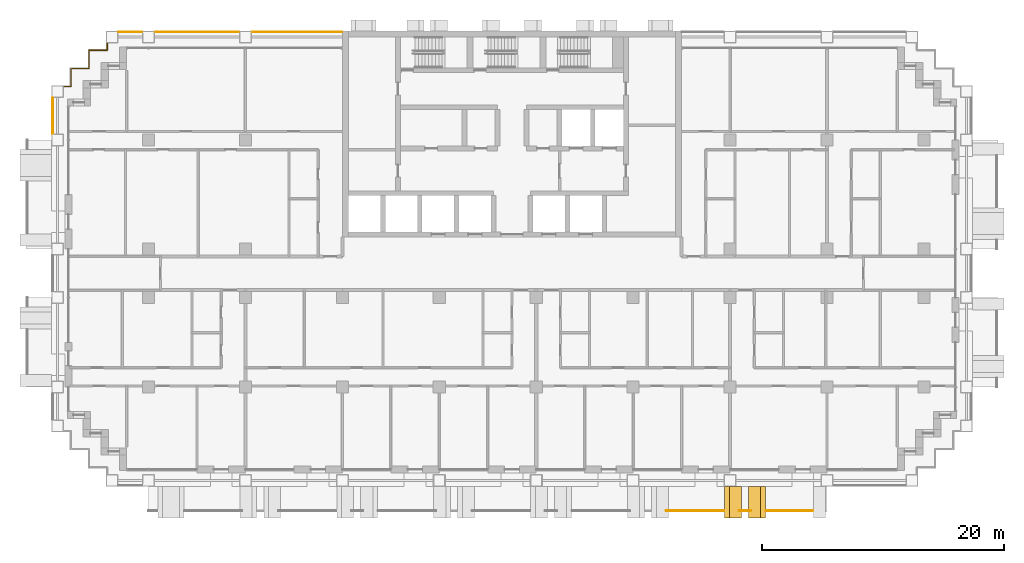
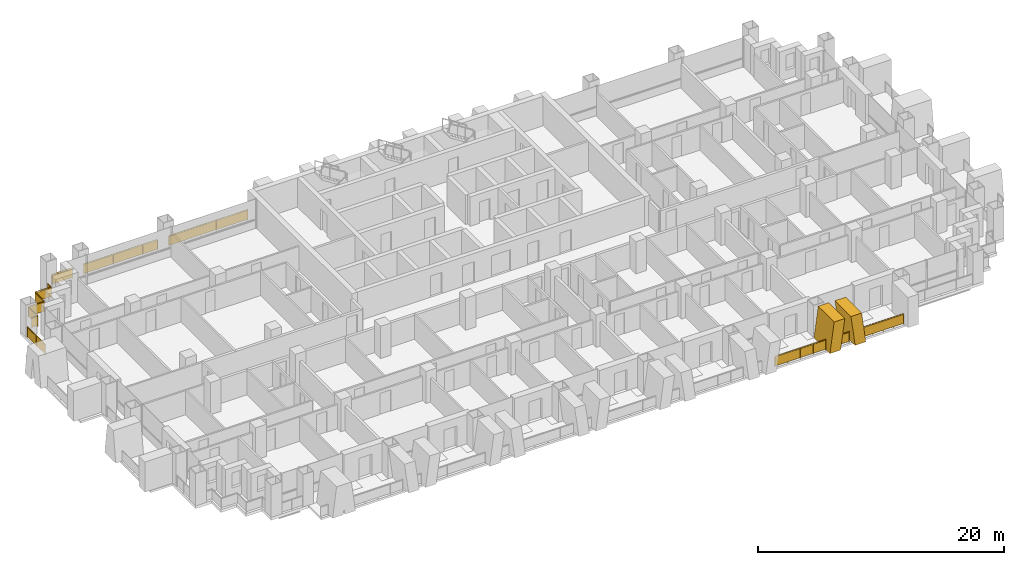
# One storey, part 16 of 18: 8 railings, 2 shading devices.
"""IFC4 building model written with IfcOpenShell, lengths in metres."""

import ifcopenshell
import ifcopenshell.guid

model = None  # the IFC model being written
_history = None  # IfcOwnerHistory: only IFC2X3 demands one
_inside = {}  # id of a spatial element -> (the spatial element, [elements in it])
_under = {}  # id of a project, library or spatial element -> (it, [spatial elements below it])
_declared = {}  # id of a project -> (the project, [libraries it declares])
_typed = {}  # id of a type object -> (the type object, [elements of that type])
_made_of = {}  # id of a material, layer set ... -> (it, [elements and type objects made of it])


def new_model(schema):
    """Start an empty IFC model of exactly this schema.

    Asked for "IFC4X3", IfcOpenShell would pick the latest addendum, in which some entities
    have other attributes; the version numbers below select the first issue.
    IFC2X3 requires an IfcOwnerHistory on every rooted entity: one is made here for all.
    """
    global model, _history
    if schema == "IFC4X3":
        model = ifcopenshell.file(schema_version=(4, 3, 0, 0))
    else:
        model = ifcopenshell.file(schema=schema)
    _inside.clear()
    _under.clear()
    _declared.clear()
    _typed.clear()
    _made_of.clear()
    _history = None
    if model.schema == "IFC2X3":
        org = make("IfcOrganization", Name="unknown")
        user = make(
            "IfcPersonAndOrganization",
            ThePerson=make("IfcPerson", FamilyName="unknown"),
            TheOrganization=org,
        )
        app = make(
            "IfcApplication",
            ApplicationDeveloper=org,
            Version="unknown",
            ApplicationFullName="unknown",
            ApplicationIdentifier="unknown",
        )
        _history = make(
            "IfcOwnerHistory",
            OwningUser=user,
            OwningApplication=app,
            ChangeAction="ADDED",
            CreationDate=0,
        )
    return model


def make(cls, **values):
    """One entity of the class cls with the attributes given. An attribute that is None is left unset."""
    return model.create_entity(
        cls, **{name: value for name, value in values.items() if value is not None}
    )


def rooted(cls, **values):
    """An entity with a GlobalId (a new one), such as an element, a storey or a relation."""
    return make(cls, GlobalId=ifcopenshell.guid.new(), OwnerHistory=_history, **values)


def si_unit(unit_type, name, prefix=None):
    """IfcSIUnit, for example si_unit("LENGTHUNIT", "METRE", prefix="MILLI")."""
    return make("IfcSIUnit", UnitType=unit_type, Prefix=prefix, Name=name)


def assignment(units):
    """IfcUnitAssignment: the units of a project."""
    return None if units is None else make("IfcUnitAssignment", Units=units)


def point(xyz):
    """IfcCartesianPoint."""
    return None if xyz is None else make("IfcCartesianPoint", Coordinates=xyz)


def direction(xyz):
    """IfcDirection."""
    return None if xyz is None else make("IfcDirection", DirectionRatios=xyz)


def frame(location, z_axis=None, x_axis=None):
    """IfcAxis2Placement3D, a coordinate frame: its origin and axes. An axis left out is left unset."""
    return make(
        "IfcAxis2Placement3D",
        Location=point(location),
        Axis=direction(z_axis),
        RefDirection=direction(x_axis),
    )


def frame_2d(location, x_axis=None):
    """IfcAxis2Placement2D, a coordinate frame in the plane: its origin and x axis."""
    return make(
        "IfcAxis2Placement2D", Location=point(location), RefDirection=direction(x_axis)
    )


def origin():
    """The frame at (0, 0, 0) with its axes left unset."""
    return frame((0.0, 0.0, 0.0))


def origin_2d():
    """The frame at (0, 0) in the plane with its x axis left unset."""
    return frame_2d((0.0, 0.0))


def place(relative_to, where):
    """IfcLocalPlacement: puts the frame where relative to a parent placement (None: the world)."""
    return make(
        "IfcLocalPlacement", PlacementRelTo=relative_to, RelativePlacement=where
    )


def context(
    kind, dimensions, precision=None, world=None, true_north=None, identifier=None
):
    """IfcGeometricRepresentationContext, for example the 3D "Model" context."""
    return make(
        "IfcGeometricRepresentationContext",
        ContextIdentifier=identifier,
        ContextType=kind,
        CoordinateSpaceDimension=dimensions,
        Precision=precision,
        WorldCoordinateSystem=world,
        TrueNorth=true_north,
    )


def subcontext(parent, identifier, kind, view, scale=None):
    """IfcGeometricRepresentationSubContext, for example "Body" below "Model"."""
    return make(
        "IfcGeometricRepresentationSubContext",
        ContextIdentifier=identifier,
        ContextType=kind,
        ParentContext=parent,
        TargetScale=scale,
        TargetView=view,
    )


def project(units=None, contexts=None):
    """IfcProject with its units and contexts."""
    return rooted(
        "IfcProject",
        Name="project",
        RepresentationContexts=contexts,
        UnitsInContext=assignment(units),
    )


def spatial(cls, under=None, at=None, **own):
    """A site, building, storey or space (cls), placed at a placement, below another one or the project."""
    s = rooted(cls, ObjectPlacement=at, **own)
    if under is not None:
        _under.setdefault(under.id(), (under, []))[1].append(s)
    return s


def polyline(points):
    """IfcPolyline through the points."""
    return make("IfcPolyline", Points=[point(p) for p in points])


def profile(cls, at=None, kind="AREA", **sizes):
    """A parametric profile (cls). Its sizes go by their IFC names, for example OverallWidth=200.0."""
    return make(cls, ProfileType=kind, Position=at, **sizes)


def rectangle(**sizes):
    """IfcRectangleProfileDef."""
    return profile("IfcRectangleProfileDef", **sizes)


def circle(**sizes):
    """IfcCircleProfileDef."""
    return profile("IfcCircleProfileDef", **sizes)


def outline(outer, holes=None, kind="AREA"):
    """IfcArbitraryClosedProfileDef: a profile drawn as a closed curve; with holes, ...WithVoids."""
    if holes is None:
        return make("IfcArbitraryClosedProfileDef", ProfileType=kind, OuterCurve=outer)
    return make(
        "IfcArbitraryProfileDefWithVoids",
        ProfileType=kind,
        OuterCurve=outer,
        InnerCurves=holes,
    )


def extrude(swept, where, along, depth):
    """IfcExtrudedAreaSolid: the profile swept, set in the frame where, extruded along a direction by depth."""
    return make(
        "IfcExtrudedAreaSolid",
        SweptArea=swept,
        Position=where,
        ExtrudedDirection=direction(along),
        Depth=depth,
    )


def shape(context_of_items, identifier, shape_type, items):
    """IfcShapeRepresentation: the items that make up one representation, for example the "Body"."""
    return make(
        "IfcShapeRepresentation",
        ContextOfItems=context_of_items,
        RepresentationIdentifier=identifier,
        RepresentationType=shape_type,
        Items=items,
    )


def material(Name=None, Category=None):
    """IfcMaterial."""
    return make("IfcMaterial", Name=Name, Category=Category)


def layer(
    of_material, thickness, ventilated=None, Name=None, Category=None, Priority=None
):
    """IfcMaterialLayer: one layer of a wall or slab, of a material (None: an air gap)."""
    return make(
        "IfcMaterialLayer",
        Material=of_material,
        LayerThickness=thickness,
        IsVentilated=ventilated,
        Name=Name,
        Category=Category,
        Priority=Priority,
    )


def layer_set(layers, Name=None):
    """IfcMaterialLayerSet."""
    return make("IfcMaterialLayerSet", MaterialLayers=layers, LayerSetName=Name)


def made_of(thing, what):
    """Note that an element or type object is made of a material, layer set ...; save() writes the relation."""
    if what is not None:
        _made_of.setdefault(what.id(), (what, []))[1].append(thing)
    return thing


def type_object(cls, material=None, **own):
    """A type object (cls), such as IfcWallType, which elements share."""
    return made_of(rooted(cls, **own), material)


def element(
    cls,
    number,
    at=None,
    inside=None,
    cuts=None,
    type_object=None,
    material=None,
    context=None,
    identifier="Body",
    shape_type=None,
    held_by="IfcProductDefinitionShape",
    body=None,
    shapes=None,
    **own,
):
    """One element of the class cls, such as IfcWall. Its Tag is "e" and its number.

    at: its placement. inside: the storey or other place that contains it. cuts: it is an
    opening in that element (IfcRelVoidsElement). A single representation is given by context,
    identifier, shape_type and body (its items); several are given by shapes. held_by: the class
    of the entity that holds the representations. save() writes the other relations.
    """
    e = rooted(cls, Tag="e%d" % number, ObjectPlacement=at, **own)
    if body is not None:
        shapes = [shape(context, identifier, shape_type, body)]
    if shapes is not None:
        e.Representation = make(held_by, Representations=shapes)
    if inside is not None:
        _inside.setdefault(inside.id(), (inside, []))[1].append(e)
    if cuts is not None:
        rooted(
            "IfcRelVoidsElement", RelatingBuildingElement=cuts, RelatedOpeningElement=e
        )
    if type_object is not None:
        _typed.setdefault(type_object.id(), (type_object, []))[1].append(e)
    return made_of(e, material)


def aggregate(whole, parts):
    """IfcRelAggregates: a whole, such as a stair, and the parts it consists of."""
    return rooted("IfcRelAggregates", RelatingObject=whole, RelatedObjects=parts)


def save(model, path):
    """Write the relations noted so far, then the file.

    IfcRelAggregates (storeys below a building ...), IfcRelContainedInSpatialStructure (elements
    in a storey), IfcRelDefinesByType, IfcRelAssociatesMaterial and IfcRelDeclares: one each for
    every whole, place, type object, material and project.
    """
    for whole, parts in _under.values():
        aggregate(whole, parts)
    for where, things in _inside.values():
        rooted(
            "IfcRelContainedInSpatialStructure",
            RelatedElements=things,
            RelatingStructure=where,
        )
    for kind, things in _typed.values():
        rooted("IfcRelDefinesByType", RelatedObjects=things, RelatingType=kind)
    for what, things in _made_of.values():
        rooted("IfcRelAssociatesMaterial", RelatedObjects=things, RelatingMaterial=what)
    for by, libraries in _declared.values():
        rooted("IfcRelDeclares", RelatingContext=by, RelatedDefinitions=libraries)
    model.write(path)


model = new_model("IFC4")

# Units and contexts
model_context = context("Model", 3, precision=1e-05, world=origin(), true_north=direction((0.0, 1.0)))
body_context = subcontext(model_context, "Body", "Model", "MODEL_VIEW")
ifc_project = project(units=[si_unit("LENGTHUNIT", "METRE"), si_unit("AREAUNIT", "SQUARE_METRE"), si_unit("VOLUMEUNIT", "CUBIC_METRE"), si_unit("PLANEANGLEUNIT", "RADIAN"), si_unit("MASSUNIT", "GRAM", prefix="KILO")], contexts=[model_context])

# Site, building, storey
site_placement = place(None, origin())
site = spatial("IfcSite", under=ifc_project, at=site_placement, CompositionType="ELEMENT")
building_placement = place(site_placement, origin())
building = spatial("IfcBuilding", under=site, at=building_placement, Name="Vidyagriha Tower", CompositionType="ELEMENT")
storey_placement = place(building_placement, frame((0.0, 0.0, 48.0)))
storey = spatial("IfcBuildingStorey", under=building, at=storey_placement, Name="L12", CompositionType="ELEMENT", Elevation=48.0)

# Railings
ifc_material_1 = material(Name="Steel ASTM A500 Grade C black painted", Category="steel")
railing_type_1 = type_object("IfcRailingType", Name="Balcony guard 1100", PredefinedType="BALUSTRADE", material=ifc_material_1)
railing_1_placement = place(storey_placement, frame((12.71630859375, -19.60009765625, 0.0)))
element("IfcRailing", 1, at=railing_1_placement, inside=storey, type_object=railing_type_1, Name="Balcony guard L12 R23.1-12", PredefinedType="BALUSTRADE", context=body_context, shape_type="SweptSolid", body=[
    extrude(circle(Radius=0.02490234375, at=origin_2d()), frame((0.0, 0.0, 1.0751953125), z_axis=(1.0, 0.0, 0.0), x_axis=(0.0, 1.0, 0.0)), (0.0, 0.0, 1.0), 4.773681640625),
    extrude(circle(Radius=0.02001953125, at=origin_2d()), origin(), (0.0, 0.0, 1.0), 1.050048828125),
    extrude(circle(Radius=0.02001953125, at=origin_2d()), frame((1.193359375, 0.0, 0.0)), (0.0, 0.0, 1.0), 1.050048828125),
    extrude(circle(Radius=0.02001953125, at=origin_2d()), frame((2.38671875, 0.0, 0.0)), (0.0, 0.0, 1.0), 1.050048828125),
    extrude(circle(Radius=0.02001953125, at=origin_2d()), frame((3.580322265625, 0.0, 0.0)), (0.0, 0.0, 1.0), 1.050048828125),
    extrude(circle(Radius=0.02001953125, at=origin_2d()), frame((4.773681640625, 0.0, 0.0)), (0.0, 0.0, 1.0), 1.050048828125),
    extrude(rectangle(XDim=0.010009765625, YDim=0.900146484375, at=origin_2d()), frame((0.0, 0.0, 0.550048828125), z_axis=(1.0, 0.0, 0.0), x_axis=(0.0, 1.0, 0.0)), (0.0, 0.0, 1.0), 4.773681640625),
])
railing_2_placement = place(storey_placement, frame((18.741455078125, -19.60009765625, 0.0)))
element("IfcRailing", 2, at=railing_2_placement, inside=storey, type_object=railing_type_1, Name="Balcony guard L12 R23.1-13", PredefinedType="BALUSTRADE", context=body_context, shape_type="SweptSolid", body=[
    extrude(circle(Radius=0.02490234375, at=origin_2d()), frame((0.0, 0.0, 1.0751953125), z_axis=(1.0, 0.0, 0.0), x_axis=(0.0, 1.0, 0.0)), (0.0, 0.0, 1.0), 0.967041015625),
    extrude(circle(Radius=0.02001953125, at=origin_2d()), origin(), (0.0, 0.0, 1.0), 1.050048828125),
    extrude(circle(Radius=0.02001953125, at=origin_2d()), frame((0.967041015625, 0.0, 0.0)), (0.0, 0.0, 1.0), 1.050048828125),
    extrude(rectangle(XDim=0.010009765625, YDim=0.900146484375, at=origin_2d()), frame((0.0, 0.0, 0.550048828125), z_axis=(1.0, 0.0, 0.0), x_axis=(0.0, 1.0, 0.0)), (0.0, 0.0, 1.0), 0.967041015625),
])
railing_3_placement = place(storey_placement, frame((20.9599609375, -19.60009765625, 0.0)))
element("IfcRailing", 3, at=railing_3_placement, inside=storey, type_object=railing_type_1, Name="Balcony guard L12 R23.1-14", PredefinedType="BALUSTRADE", context=body_context, shape_type="SweptSolid", body=[
    extrude(circle(Radius=0.02490234375, at=origin_2d()), frame((0.0, 0.0, 1.0751953125), z_axis=(1.0, 0.0, 0.0), x_axis=(0.0, 1.0, 0.0)), (0.0, 0.0, 1.0), 3.864990234375),
    extrude(circle(Radius=0.02001953125, at=origin_2d()), origin(), (0.0, 0.0, 1.0), 1.050048828125),
    extrude(circle(Radius=0.02001953125, at=origin_2d()), frame((0.96630859375, 0.0, 0.0)), (0.0, 0.0, 1.0), 1.050048828125),
    extrude(circle(Radius=0.02001953125, at=origin_2d()), frame((1.9326171875, 0.0, 0.0)), (0.0, 0.0, 1.0), 1.050048828125),
    extrude(circle(Radius=0.02001953125, at=origin_2d()), frame((2.898681640625, 0.0, 0.0)), (0.0, 0.0, 1.0), 1.050048828125),
    extrude(circle(Radius=0.02001953125, at=origin_2d()), frame((3.864990234375, 0.0, 0.0)), (0.0, 0.0, 1.0), 1.050048828125),
    extrude(rectangle(XDim=0.010009765625, YDim=0.900146484375, at=origin_2d()), frame((0.0, 0.0, 0.550048828125), z_axis=(1.0, 0.0, 0.0), x_axis=(0.0, 1.0, 0.0)), (0.0, 0.0, 1.0), 3.864990234375),
])

# Shading devices
ifc_material_2 = material(Name="Precast concrete C40/50 with buff brick facing", Category="concrete")
ifc_layer = layer(ifc_material_2, 1.0)
ifc_layer_set = layer_set([ifc_layer], Name="Precast concrete C40/50 with buff brick facing")
shading_device_type = type_object("IfcShadingDeviceType", Name="Brick-faced blade fin arm leaning 8 degrees", PredefinedType="USERDEFINED", material=ifc_layer_set)
shading_device_1_placement = place(storey_placement, frame((17.5400390625, -18.89990234375, 0.0)))
element("IfcShadingDevice", 4, at=shading_device_1_placement, inside=storey, type_object=shading_device_type, Name="Leaning blade fin L12 R23.4980a", ObjectType="BLADE FIN", PredefinedType="USERDEFINED", context=body_context, shape_type="SweptSolid", body=[
    extrude(outline(polyline([(0.0, 0.0), (1.0, 0.0), (1.39501953125, 3.0), (0.39501953125, 3.0), (0.0, 0.0)])), frame((0.0, 1.300048828125, 0.0), z_axis=(0.0, -1.0, 0.0), x_axis=(1.0, 0.0, 0.0)), (0.0, 0.0, 1.0), 2.60009765625),
])
shading_device_2_placement = place(storey_placement, frame((19.514892578125, -18.89990234375, 0.0)))
element("IfcShadingDevice", 5, at=shading_device_2_placement, inside=storey, type_object=shading_device_type, Name="Leaning blade fin L12 R23.4980b", ObjectType="BLADE FIN", PredefinedType="USERDEFINED", context=body_context, shape_type="SweptSolid", body=[
    extrude(outline(polyline([(0.39501953125, 0.0), (1.39501953125, 0.0), (1.0, 3.0), (0.0, 3.0), (0.39501953125, 0.0)])), frame((0.0, 1.300048828125, 0.0), z_axis=(0.0, -1.0, 0.0), x_axis=(1.0, 0.0, 0.0)), (0.0, 0.0, 1.0), 2.60009765625),
])

# Railings
ifc_material_3 = material(Name="Steel ASTM A500 Grade C black painted", Category="steel")
railing_type_2 = type_object("IfcRailingType", Name="Gallery guard 1100", PredefinedType="GUARDRAIL", material=ifc_material_3)
railing_4_placement = place(storey_placement, frame((-37.89990234375, 11.530029296875, 0.0)))
element("IfcRailing", 6, at=railing_4_placement, inside=storey, type_object=railing_type_2, Name="Gallery guard L12 3", PredefinedType="GUARDRAIL", context=body_context, shape_type="SweptSolid", body=[
    extrude(circle(Radius=0.02490234375, at=origin_2d()), frame((0.0, 0.0, 1.0751953125), z_axis=(0.0, 1.0, 0.0), x_axis=(-1.0, 0.0, 0.0)), (0.0, 0.0, 1.0), 2.93994140625),
    extrude(circle(Radius=0.02001953125, at=origin_2d()), origin(), (0.0, 0.0, 1.0), 1.050048828125),
    extrude(circle(Radius=0.02001953125, at=origin_2d()), frame((0.0, 1.469970703125, 0.0)), (0.0, 0.0, 1.0), 1.050048828125),
    extrude(circle(Radius=0.02001953125, at=origin_2d()), frame((0.0, 2.93994140625, 0.0)), (0.0, 0.0, 1.0), 1.050048828125),
    extrude(rectangle(XDim=0.010009765625, YDim=0.900146484375, at=origin_2d()), frame((0.0, 0.0, 0.550048828125), z_axis=(0.0, 1.0, 0.0), x_axis=(-1.0, 0.0, 0.0)), (0.0, 0.0, 1.0), 2.93994140625),
])
railing_5_placement = place(storey_placement, frame((-36.969970703125, 15.39990234375, 0.0)))
element("IfcRailing", 7, at=railing_5_placement, inside=storey, type_object=railing_type_2, Name="Gallery guard L12 5", PredefinedType="GUARDRAIL", context=body_context, shape_type="SweptSolid", body=[
    extrude(circle(Radius=0.02490234375, at=origin_2d()), frame((0.0, 0.0, 1.0751953125), z_axis=(1.0, 0.0, 0.0), x_axis=(0.0, 1.0, 0.0)), (0.0, 0.0, 1.0), 0.570068359375),
    extrude(circle(Radius=0.02490234375, at=origin_2d()), frame((0.570068359375, 0.0, 1.0751953125), z_axis=(0.0, 1.0, 0.0), x_axis=(-1.0, 0.0, 0.0)), (0.0, 0.0, 1.0), 1.5),
    extrude(circle(Radius=0.02490234375, at=origin_2d()), frame((0.570068359375, 1.5, 1.0751953125), z_axis=(1.0, 0.0, 0.0), x_axis=(0.0, 1.0, 0.0)), (0.0, 0.0, 1.0), 1.5),
    extrude(circle(Radius=0.02490234375, at=origin_2d()), frame((2.070068359375, 1.5, 1.0751953125), z_axis=(0.0, 1.0, 0.0), x_axis=(-1.0, 0.0, 0.0)), (0.0, 0.0, 1.0), 1.5),
    extrude(circle(Radius=0.02490234375, at=origin_2d()), frame((2.070068359375, 3.0, 1.0751953125), z_axis=(1.0, 0.0, 0.0), x_axis=(0.0, 1.0, 0.0)), (0.0, 0.0, 1.0), 1.5),
    extrude(circle(Radius=0.02490234375, at=origin_2d()), frame((3.570068359375, 3.0, 1.0751953125), z_axis=(0.0, 1.0, 0.0), x_axis=(-1.0, 0.0, 0.0)), (0.0, 0.0, 1.0), 0.570068359375),
    extrude(circle(Radius=0.02001953125, at=origin_2d()), origin(), (0.0, 0.0, 1.0), 1.050048828125),
    extrude(circle(Radius=0.02001953125, at=origin_2d()), frame((0.570068359375, 0.0, 0.0)), (0.0, 0.0, 1.0), 1.050048828125),
    extrude(circle(Radius=0.02001953125, at=origin_2d()), frame((0.570068359375, 1.5, 0.0)), (0.0, 0.0, 1.0), 1.050048828125),
    extrude(circle(Radius=0.02001953125, at=origin_2d()), frame((2.070068359375, 1.5, 0.0)), (0.0, 0.0, 1.0), 1.050048828125),
    extrude(circle(Radius=0.02001953125, at=origin_2d()), frame((2.070068359375, 3.0, 0.0)), (0.0, 0.0, 1.0), 1.050048828125),
    extrude(circle(Radius=0.02001953125, at=origin_2d()), frame((3.570068359375, 3.0, 0.0)), (0.0, 0.0, 1.0), 1.050048828125),
    extrude(circle(Radius=0.02001953125, at=origin_2d()), frame((3.570068359375, 3.570068359375, 0.0)), (0.0, 0.0, 1.0), 1.050048828125),
    extrude(rectangle(XDim=0.010009765625, YDim=0.900146484375, at=origin_2d()), frame((0.0, 0.0, 0.550048828125), z_axis=(1.0, 0.0, 0.0), x_axis=(0.0, 1.0, 0.0)), (0.0, 0.0, 1.0), 0.570068359375),
    extrude(rectangle(XDim=0.010009765625, YDim=0.900146484375, at=origin_2d()), frame((0.570068359375, 0.0, 0.550048828125), z_axis=(0.0, 1.0, 0.0), x_axis=(-1.0, 0.0, 0.0)), (0.0, 0.0, 1.0), 1.5),
    extrude(rectangle(XDim=0.010009765625, YDim=0.900146484375, at=origin_2d()), frame((0.570068359375, 1.5, 0.550048828125), z_axis=(1.0, 0.0, 0.0), x_axis=(0.0, 1.0, 0.0)), (0.0, 0.0, 1.0), 1.5),
    extrude(rectangle(XDim=0.010009765625, YDim=0.900146484375, at=origin_2d()), frame((2.070068359375, 1.5, 0.550048828125), z_axis=(0.0, 1.0, 0.0), x_axis=(-1.0, 0.0, 0.0)), (0.0, 0.0, 1.0), 1.5),
    extrude(rectangle(XDim=0.010009765625, YDim=0.900146484375, at=origin_2d()), frame((2.070068359375, 3.0, 0.550048828125), z_axis=(1.0, 0.0, 0.0), x_axis=(0.0, 1.0, 0.0)), (0.0, 0.0, 1.0), 1.5),
    extrude(rectangle(XDim=0.010009765625, YDim=0.900146484375, at=origin_2d()), frame((3.570068359375, 3.0, 0.550048828125), z_axis=(0.0, 1.0, 0.0), x_axis=(-1.0, 0.0, 0.0)), (0.0, 0.0, 1.0), 0.570068359375),
])
railing_6_placement = place(storey_placement, frame((-32.469970703125, 19.89990234375, 0.0)))
element("IfcRailing", 8, at=railing_6_placement, inside=storey, type_object=railing_type_2, Name="Gallery guard L12 7", PredefinedType="GUARDRAIL", context=body_context, shape_type="SweptSolid", body=[
    extrude(circle(Radius=0.02490234375, at=origin_2d()), frame((0.0, 0.0, 1.0751953125), z_axis=(1.0, 0.0, 0.0), x_axis=(0.0, 1.0, 0.0)), (0.0, 0.0, 1.0), 1.93994140625),
    extrude(circle(Radius=0.02001953125, at=origin_2d()), origin(), (0.0, 0.0, 1.0), 1.050048828125),
    extrude(circle(Radius=0.02001953125, at=origin_2d()), frame((0.969970703125, 0.0, 0.0)), (0.0, 0.0, 1.0), 1.050048828125),
    extrude(circle(Radius=0.02001953125, at=origin_2d()), frame((1.93994140625, 0.0, 0.0)), (0.0, 0.0, 1.0), 1.050048828125),
    extrude(rectangle(XDim=0.010009765625, YDim=0.900146484375, at=origin_2d()), frame((0.0, 0.0, 0.550048828125), z_axis=(1.0, 0.0, 0.0), x_axis=(0.0, 1.0, 0.0)), (0.0, 0.0, 1.0), 1.93994140625),
])
railing_7_placement = place(storey_placement, frame((-29.469970703125, 19.89990234375, 0.0)))
element("IfcRailing", 9, at=railing_7_placement, inside=storey, type_object=railing_type_2, Name="Gallery guard L12 8", PredefinedType="GUARDRAIL", context=body_context, shape_type="SweptSolid", body=[
    extrude(circle(Radius=0.02490234375, at=origin_2d()), frame((0.0, 0.0, 1.0751953125), z_axis=(1.0, 0.0, 0.0), x_axis=(0.0, 1.0, 0.0)), (0.0, 0.0, 1.0), 6.93994140625),
    extrude(circle(Radius=0.02001953125, at=origin_2d()), origin(), (0.0, 0.0, 1.0), 1.050048828125),
    extrude(circle(Radius=0.02001953125, at=origin_2d()), frame((1.387939453125, 0.0, 0.0)), (0.0, 0.0, 1.0), 1.050048828125),
    extrude(circle(Radius=0.02001953125, at=origin_2d()), frame((2.77587890625, 0.0, 0.0)), (0.0, 0.0, 1.0), 1.050048828125),
    extrude(circle(Radius=0.02001953125, at=origin_2d()), frame((4.1640625, 0.0, 0.0)), (0.0, 0.0, 1.0), 1.050048828125),
    extrude(circle(Radius=0.02001953125, at=origin_2d()), frame((5.552001953125, 0.0, 0.0)), (0.0, 0.0, 1.0), 1.050048828125),
    extrude(circle(Radius=0.02001953125, at=origin_2d()), frame((6.93994140625, 0.0, 0.0)), (0.0, 0.0, 1.0), 1.050048828125),
    extrude(rectangle(XDim=0.010009765625, YDim=0.900146484375, at=origin_2d()), frame((0.0, 0.0, 0.550048828125), z_axis=(1.0, 0.0, 0.0), x_axis=(0.0, 1.0, 0.0)), (0.0, 0.0, 1.0), 6.93994140625),
])
railing_8_placement = place(storey_placement, frame((-21.469970703125, 19.89990234375, 0.0)))
element("IfcRailing", 10, at=railing_8_placement, inside=storey, type_object=railing_type_2, Name="Gallery guard L12 9", PredefinedType="GUARDRAIL", context=body_context, shape_type="SweptSolid", body=[
    extrude(circle(Radius=0.02490234375, at=origin_2d()), frame((0.0, 0.0, 1.0751953125), z_axis=(1.0, 0.0, 0.0), x_axis=(0.0, 1.0, 0.0)), (0.0, 0.0, 1.0), 7.43994140625),
    extrude(circle(Radius=0.02001953125, at=origin_2d()), origin(), (0.0, 0.0, 1.0), 1.050048828125),
    extrude(circle(Radius=0.02001953125, at=origin_2d()), frame((1.488037109375, 0.0, 0.0)), (0.0, 0.0, 1.0), 1.050048828125),
    extrude(circle(Radius=0.02001953125, at=origin_2d()), frame((2.97607421875, 0.0, 0.0)), (0.0, 0.0, 1.0), 1.050048828125),
    extrude(circle(Radius=0.02001953125, at=origin_2d()), frame((4.4638671875, 0.0, 0.0)), (0.0, 0.0, 1.0), 1.050048828125),
    extrude(circle(Radius=0.02001953125, at=origin_2d()), frame((5.951904296875, 0.0, 0.0)), (0.0, 0.0, 1.0), 1.050048828125),
    extrude(circle(Radius=0.02001953125, at=origin_2d()), frame((7.43994140625, 0.0, 0.0)), (0.0, 0.0, 1.0), 1.050048828125),
    extrude(rectangle(XDim=0.010009765625, YDim=0.900146484375, at=origin_2d()), frame((0.0, 0.0, 0.550048828125), z_axis=(1.0, 0.0, 0.0), x_axis=(0.0, 1.0, 0.0)), (0.0, 0.0, 1.0), 7.43994140625),
])

save(model, "model.ifc")
